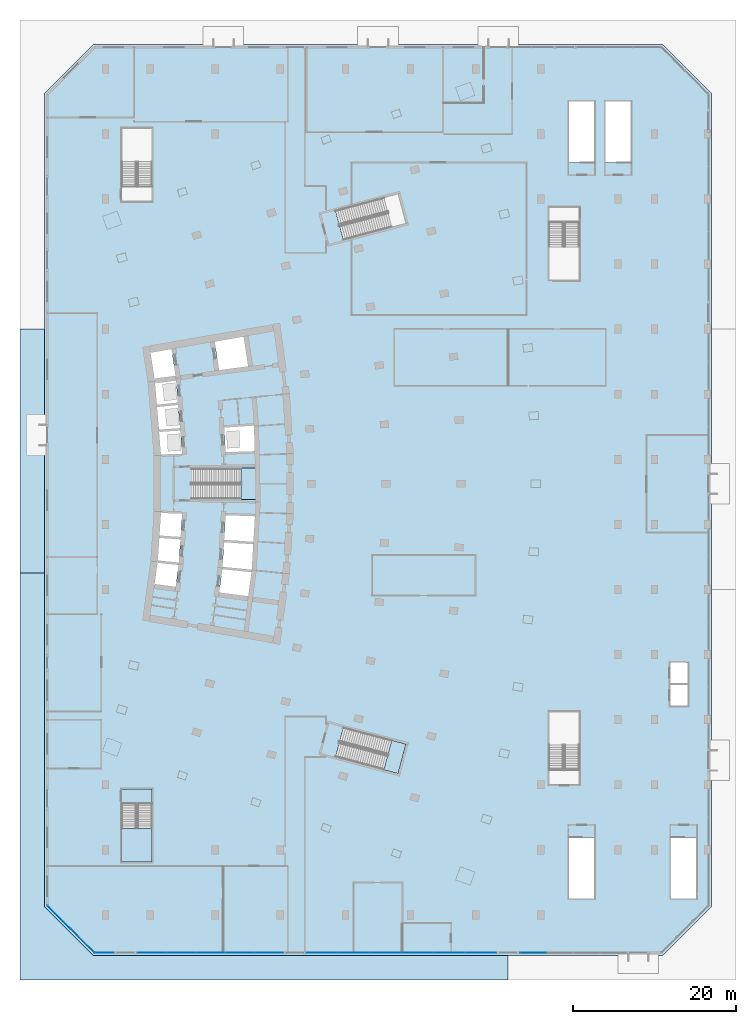
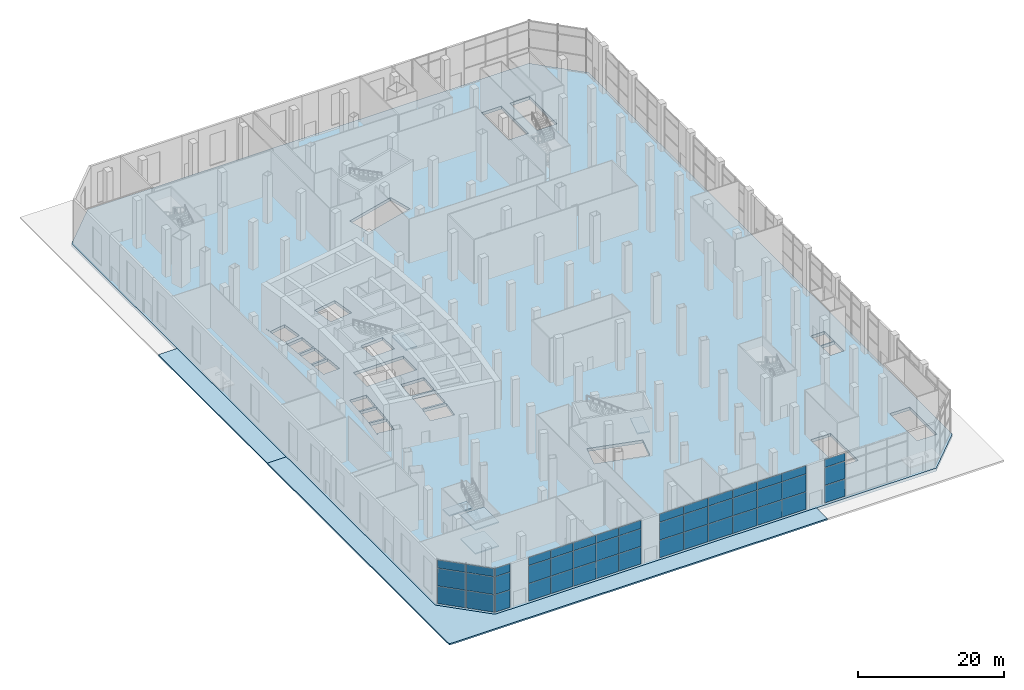
# One storey, part 9 of 33: 45 plates, 8 slabs, 8 elements without a shape of their own.
"""IFC4 building model written with IfcOpenShell, lengths in metres."""

from ifc_helpers import new_model, si_unit, direction, frame, origin, origin_2d, place, context, subcontext, project, spatial, polyline, rectangle, outline, extrude, material, layer, layer_set, type_object, element, aggregate, save


model = new_model("IFC4")

# Units and contexts
model_context = context("Model", 3, precision=1e-05, world=origin(), true_north=direction((0.0, 1.0)))
body_context = subcontext(model_context, "Body", "Model", "MODEL_VIEW")
ifc_project = project(units=[si_unit("LENGTHUNIT", "METRE"), si_unit("AREAUNIT", "SQUARE_METRE"), si_unit("VOLUMEUNIT", "CUBIC_METRE"), si_unit("PLANEANGLEUNIT", "RADIAN"), si_unit("MASSUNIT", "GRAM", prefix="KILO")], contexts=[model_context])

# Site, building, storey
site_placement = place(None, origin())
site = spatial("IfcSite", under=ifc_project, at=site_placement, CompositionType="ELEMENT")
building_placement = place(site_placement, origin())
building = spatial("IfcBuilding", under=site, at=building_placement, Name="Alderwake Tower", CompositionType="ELEMENT")
storey_placement = place(building_placement, origin())
storey = spatial("IfcBuildingStorey", under=building, at=storey_placement, Name="L00", CompositionType="ELEMENT", Elevation=0.0)

# Slab
ifc_material_1 = material(Name="Concrete C50/60", Category="concrete")
ifc_layer_1 = layer(ifc_material_1, 0.5)
ifc_layer_set_1 = layer_set([ifc_layer_1], Name="Concrete C50/60 post-tensioned flat plate 500")
slab_type_1 = type_object("IfcSlabType", Name="Concrete C50/60 post-tensioned flat plate 500", PredefinedType="FLOOR", material=ifc_layer_set_1)
slab_1_placement = place(storey_placement, frame((0.0, 0.0, -0.5)))
element("IfcSlab", 1, at=slab_1_placement, inside=storey, type_object=slab_type_1, Name="Floor slab L00", PredefinedType="FLOOR", context=body_context, shape_type="SweptSolid", body=[
    extrude(outline(polyline([(3.0, 9.0), (3.0, 109.0), (9.0, 115.0), (79.0, 115.0), (85.0, 109.0), (85.0, 9.0), (79.0, 3.0), (9.0, 3.0), (3.0, 9.0)]), holes=[polyline([(28.4482421875, 50.1328125), (24.87451171875, 50.48583984375), (24.878662109375, 50.52783203125), (24.875, 50.5283203125), (24.48974609375, 47.635986328125), (28.05419921875, 47.169921875), (28.4482421875, 50.1328125)]), polyline([(19.495361328125, 51.017333984375), (16.943359375, 51.26953125), (16.9580078125, 51.4189453125), (16.972900390625, 51.568115234375), (19.525146484375, 51.31591796875), (19.71630859375, 54.164794921875), (17.153564453125, 54.33642578125), (17.16357421875, 54.486083984375), (17.173583984375, 54.6357421875), (19.736083984375, 54.464111328125), (19.92724609375, 57.312744140625), (17.364013671875, 57.403564453125), (17.369140625, 57.553466796875), (17.33935546875, 57.554443359375), (17.1337890625, 54.48828125), (16.927978515625, 51.421875), (16.92822265625, 51.421875), (16.50927734375, 48.377197265625), (16.5390625, 48.373291015625), (16.577880859375, 48.6708984375), (19.138671875, 48.3359375), (19.495361328125, 51.017333984375)]), polyline([(28.669921875, 53.564453125), (25.080810546875, 53.804931640625), (24.89501953125, 50.731201171875), (24.898681640625, 50.730712890625), (24.904052734375, 50.784423828125), (28.484375, 50.4306640625), (28.669921875, 53.564453125)]), polyline([(29.0, 59.125), (29.0, 62.875), (21.050048828125, 62.875), (21.050048828125, 59.125), (29.0, 59.125)]), polyline([(19.9248046875, 64.687255859375), (19.688720703125, 67.53271484375), (17.12548828125, 67.361083984375), (17.115478515625, 67.510498046875), (17.10546875, 67.660400390625), (19.6640625, 67.831787109375), (19.42822265625, 70.674560546875), (16.87646484375, 70.42236328125), (16.86181640625, 70.571533203125), (16.846923828125, 70.720947265625), (19.403564453125, 70.973388671875), (19.179931640625, 73.66943359375), (16.646484375, 73.338134765625), (16.607666015625, 73.635498046875), (16.56884765625, 73.93310546875), (19.111083984375, 74.265625), (18.6240234375, 77.531982421875), (18.919921875, 77.575927734375), (18.916748046875, 77.593994140625), (16.082275390625, 77.10546875), (15.9345703125, 77.9619140625), (15.634765625, 77.908935546875), (15.63525390625, 77.9052734375), (15.9140625, 77.9482421875), (16.57763671875, 73.631591796875), (16.578369140625, 73.626220703125), (16.831787109375, 70.568603515625), (17.085693359375, 67.508544921875), (17.33935546875, 64.4482421875), (17.33935546875, 64.445556640625), (17.369384765625, 64.446533203125), (17.364013671875, 64.596435546875), (19.9248046875, 64.687255859375)]), polyline([(28.0400390625, 75.433349609375), (27.490966796875, 79.072021484375), (23.932373046875, 78.45849609375), (23.93310546875, 78.454833984375), (23.9443359375, 78.45654296875), (24.4697265625, 74.972412109375), (24.36474609375, 74.95654296875), (24.365478515625, 74.952880859375), (28.0400390625, 75.433349609375)]), polyline([(67.449951171875, 10.0), (70.60009765625, 10.0), (70.60009765625, 17.489990234375), (67.449951171875, 17.489990234375), (67.449951171875, 10.0)]), polyline([(80.0, 10.0), (83.14990234375, 10.0), (83.14990234375, 17.489990234375), (80.0, 17.489990234375), (80.0, 10.0)]), polyline([(38.7890625, 27.41943359375), (46.47119140625, 25.373291015625), (47.436279296875, 28.996826171875), (39.754150390625, 31.043212890625), (38.7890625, 27.41943359375)]), polyline([(79.89990234375, 33.699951171875), (82.10009765625, 33.699951171875), (82.10009765625, 36.300048828125), (79.89990234375, 36.300048828125), (79.89990234375, 33.699951171875)]), polyline([(82.10009765625, 36.449951171875), (82.10009765625, 39.050048828125), (79.89990234375, 39.050048828125), (79.89990234375, 36.449951171875), (82.10009765625, 36.449951171875)]), polyline([(25.09912109375, 54.1044921875), (28.687744140625, 53.864013671875), (28.873291015625, 56.99609375), (25.281494140625, 57.123291015625), (25.09912109375, 54.1044921875)]), polyline([(25.2822265625, 64.876708984375), (28.83740234375, 65.002685546875), (28.769287109375, 68.0869140625), (28.764892578125, 68.141357421875), (25.101318359375, 67.895751953125), (25.2822265625, 64.876708984375)]), polyline([(47.436279296875, 93.003173828125), (46.47119140625, 96.626708984375), (38.7890625, 94.58056640625), (39.754150390625, 90.956787109375), (47.436279296875, 93.003173828125)]), polyline([(70.60009765625, 100.510009765625), (70.60009765625, 108.0), (67.449951171875, 108.0), (67.449951171875, 100.510009765625), (70.60009765625, 100.510009765625)]), polyline([(75.10009765625, 100.510009765625), (75.10009765625, 108.0), (71.949951171875, 108.0), (71.949951171875, 100.510009765625), (75.10009765625, 100.510009765625)])]), origin(), (0.0, 0.0, 1.0), 0.5),
])

# Stair, slab
ifc_material_2 = material(Name="Concrete C40/50", Category="concrete")
stair_type_1 = type_object("IfcStairType", Name="Core exit stair", PredefinedType="HALF_TURN_STAIR", material=ifc_material_2)
stair_1_placement = place(storey_placement, origin())
stair_1 = element("IfcStair", 2, at=stair_1_placement, inside=storey, type_object=stair_type_1, Name="L00 Exit Stair B", PredefinedType="HALF_TURN_STAIR")
ifc_material_3 = material(Name="Concrete C40/50", Category="concrete")
ifc_layer_2 = layer(ifc_material_3, 0.199951171875)
ifc_layer_set_2 = layer_set([ifc_layer_2], Name="Core stair landing 200")
slab_type_2 = type_object("IfcSlabType", Name="Core stair landing 200", PredefinedType="LANDING", material=ifc_layer_set_2)
slab_2_placement = place(storey_placement, frame((0.0, 0.0, 3.800048828125)))
slab_2 = element("IfcSlab", 3, at=slab_2_placement, type_object=slab_type_2, Name="ST-B landing 1", PredefinedType="LANDING", context=body_context, shape_type="SweptSolid", body=[
    extrude(outline(polyline([(27.18994140625, 59.074951171875), (29.0, 59.074951171875), (29.0, 62.925048828125), (27.18994140625, 62.925048828125), (27.18994140625, 59.074951171875)])), origin(), (0.0, 0.0, 1.0), 0.199951171875),
])
aggregate(stair_1, [slab_2])

stair_2_placement = place(storey_placement, origin())
stair_2 = element("IfcStair", 4, at=stair_2_placement, inside=storey, type_object=stair_type_1, Name="L00 Exit Stair C", PredefinedType="HALF_TURN_STAIR")
slab_3_placement = place(storey_placement, frame((0.0, 0.0, 3.800048828125)))
slab_3 = element("IfcSlab", 5, at=slab_3_placement, type_object=slab_type_2, Name="ST-C landing 1", PredefinedType="LANDING", context=body_context, shape_type="SweptSolid", body=[
    extrude(outline(polyline([(44.72216796875, 25.839111328125), (46.47119140625, 25.373291015625), (47.436279296875, 28.996826171875), (45.687255859375, 29.462890625), (44.72216796875, 25.839111328125)])), origin(), (0.0, 0.0, 1.0), 0.199951171875),
])
aggregate(stair_2, [slab_3])

# Stair, slabs
ifc_material_4 = material(Name="Concrete C40/50", Category="concrete")
stair_type_2 = type_object("IfcStairType", Name="Exit stair 1800 half-turn", PredefinedType="HALF_TURN_STAIR", material=ifc_material_4)
stair_3_placement = place(storey_placement, origin())
stair_3 = element("IfcStair", 6, at=stair_3_placement, inside=storey, type_object=stair_type_2, Name="L00 Podium stair P1", PredefinedType="HALF_TURN_STAIR")
slab_4_placement = place(storey_placement, frame((0.0, 0.0, 1.800048828125)))
slab_4 = element("IfcSlab", 7, at=slab_4_placement, type_object=slab_type_2, Name="ST-P1 landing 1", PredefinedType="LANDING", context=body_context, shape_type="SweptSolid", body=[
    extrude(outline(polyline([(12.5, 18.6298828125), (12.5, 14.5), (16.25, 14.5), (16.25, 18.6298828125), (12.5, 18.6298828125)])), origin(), (0.0, 0.0, 1.0), 0.199951171875),
])
slab_5_placement = place(storey_placement, frame((0.0, 0.0, 3.800048828125)))
slab_5 = element("IfcSlab", 8, at=slab_5_placement, type_object=slab_type_2, Name="ST-P1 landing 2", PredefinedType="LANDING", context=body_context, shape_type="SweptSolid", body=[
    extrude(outline(polyline([(12.5, 23.5), (12.5, 21.68994140625), (16.25, 21.68994140625), (16.25, 23.5), (12.5, 23.5)])), origin(), (0.0, 0.0, 1.0), 0.199951171875),
])
slab_6_placement = place(storey_placement, frame((0.0, 0.0, 5.800048828125)))
slab_6 = element("IfcSlab", 9, at=slab_6_placement, type_object=slab_type_2, Name="ST-P1 landing 3", PredefinedType="LANDING", context=body_context, shape_type="SweptSolid", body=[
    extrude(outline(polyline([(12.5, 18.6298828125), (12.5, 14.5), (16.25, 14.5), (16.25, 18.6298828125), (12.5, 18.6298828125)])), origin(), (0.0, 0.0, 1.0), 0.199951171875),
])
aggregate(stair_3, [slab_4, slab_5, slab_6])

# Slab
ifc_material_5 = material(Name="Concrete C50/60", Category="concrete")
ifc_layer_3 = layer(ifc_material_5, 0.199951171875)
ifc_layer_set_3 = layer_set([ifc_layer_3], Name="Footway paving slab 200")
slab_type_3 = type_object("IfcSlabType", Name="Footway paving slab 200", PredefinedType="USERDEFINED", material=ifc_layer_set_3)
slab_7_placement = place(storey_placement, frame((0.0, 0.0, -0.199951171875)))
element("IfcSlab", 10, at=slab_7_placement, inside=storey, type_object=slab_type_3, Name="West street footway paving", ObjectType="PAVING", PredefinedType="USERDEFINED", context=body_context, shape_type="SweptSolid", body=[
    extrude(outline(polyline([(0.0, 80.0), (0.0, 50.0), (3.0, 50.0), (3.0, 80.0), (0.0, 80.0)])), origin(), (0.0, 0.0, 1.0), 0.199951171875),
])

# Curtain wall, plates
ifc_material_6 = material(Name="Bronze tinted glass in aluminium frame", Category="aluminium")
ifc_layer_4 = layer(ifc_material_6, 0.25)
ifc_layer_set_4 = layer_set([ifc_layer_4], Name="Curtain wall CW1 podium shopfront")
curtain_wall_type_1 = type_object("IfcCurtainWallType", Name="Curtain wall CW1 podium shopfront", PredefinedType="NOTDEFINED", material=ifc_layer_set_4)
curtain_wall_1_placement = place(storey_placement, origin())
curtain_wall_1 = element("IfcCurtainWall", 11, at=curtain_wall_1_placement, inside=storey, type_object=curtain_wall_type_1, Name="Curtain wall 1", PredefinedType="NOTDEFINED")
ifc_material_7 = material(Name="Bronze tinted glass in aluminium frame", Category="aluminium")
ifc_layer_5 = layer(ifc_material_7, 0.028076171875)
ifc_layer_set_5 = layer_set([ifc_layer_5], Name="Glass panel GPA 28")
plate_type_1 = type_object("IfcPlateType", Name="Glass panel GPA 28", PredefinedType="CURTAIN_PANEL", material=ifc_layer_set_5)
plate_1_placement = place(storey_placement, frame((10.37255859375, 3.35009765625, 0.06005859375), z_axis=(0.0, 0.0, 1.0), x_axis=(1.0, 0.0, 0.0)))
plate_1 = element("IfcPlate", 12, at=plate_1_placement, type_object=plate_type_1, Name="CW.01 panel 1.1", PredefinedType="CURTAIN_PANEL", context=body_context, shape_type="SweptSolid", body=[
    extrude(rectangle(XDim=2.3349609375, YDim=0.028076171875, at=origin_2d()), origin(), (0.0, 0.0, 1.0), 2.909912109375),
])
plate_2_placement = place(storey_placement, frame((10.37255859375, 3.35009765625, 3.030029296875), z_axis=(0.0, 0.0, 1.0), x_axis=(1.0, 0.0, 0.0)))
plate_2 = element("IfcPlate", 13, at=plate_2_placement, type_object=plate_type_1, Name="CW.01 panel 1.2", PredefinedType="CURTAIN_PANEL", context=body_context, shape_type="SweptSolid", body=[
    extrude(rectangle(XDim=2.3349609375, YDim=0.028076171875, at=origin_2d()), origin(), (0.0, 0.0, 1.0), 2.93994140625),
])
plate_3_placement = place(storey_placement, frame((10.37255859375, 3.35009765625, 6.02978515625), z_axis=(0.0, 0.0, 1.0), x_axis=(1.0, 0.0, 0.0)))
plate_3 = element("IfcPlate", 14, at=plate_3_placement, type_object=plate_type_1, Name="CW.01 panel 1.3", PredefinedType="CURTAIN_PANEL", context=body_context, shape_type="SweptSolid", body=[
    extrude(rectangle(XDim=2.3349609375, YDim=0.028076171875, at=origin_2d()), origin(), (0.0, 0.0, 1.0), 1.360107421875),
])
aggregate(curtain_wall_1, [plate_1, plate_2, plate_3])

curtain_wall_2_placement = place(storey_placement, origin())
curtain_wall_2 = element("IfcCurtainWall", 15, at=curtain_wall_2_placement, inside=storey, type_object=curtain_wall_type_1, Name="Curtain wall 2", PredefinedType="NOTDEFINED")
plate_4_placement = place(storey_placement, frame((16.215087890625, 3.35009765625, 0.06005859375), z_axis=(0.0, 0.0, 1.0), x_axis=(1.0, 0.0, 0.0)))
plate_4 = element("IfcPlate", 16, at=plate_4_placement, type_object=plate_type_1, Name="CW.02 panel 1.1", PredefinedType="CURTAIN_PANEL", context=body_context, shape_type="SweptSolid", body=[
    extrude(rectangle(XDim=3.510009765625, YDim=0.028076171875, at=origin_2d()), origin(), (0.0, 0.0, 1.0), 2.909912109375),
])
plate_5_placement = place(storey_placement, frame((16.215087890625, 3.35009765625, 3.030029296875), z_axis=(0.0, 0.0, 1.0), x_axis=(1.0, 0.0, 0.0)))
plate_5 = element("IfcPlate", 17, at=plate_5_placement, type_object=plate_type_1, Name="CW.02 panel 1.2", PredefinedType="CURTAIN_PANEL", context=body_context, shape_type="SweptSolid", body=[
    extrude(rectangle(XDim=3.510009765625, YDim=0.028076171875, at=origin_2d()), origin(), (0.0, 0.0, 1.0), 2.93994140625),
])
plate_6_placement = place(storey_placement, frame((16.215087890625, 3.35009765625, 6.02978515625), z_axis=(0.0, 0.0, 1.0), x_axis=(1.0, 0.0, 0.0)))
plate_6 = element("IfcPlate", 18, at=plate_6_placement, type_object=plate_type_1, Name="CW.02 panel 1.3", PredefinedType="CURTAIN_PANEL", context=body_context, shape_type="SweptSolid", body=[
    extrude(rectangle(XDim=3.510009765625, YDim=0.028076171875, at=origin_2d()), origin(), (0.0, 0.0, 1.0), 1.360107421875),
])
plate_7_placement = place(storey_placement, frame((19.800048828125, 3.35009765625, 0.06005859375), z_axis=(0.0, 0.0, 1.0), x_axis=(1.0, 0.0, 0.0)))
plate_7 = element("IfcPlate", 19, at=plate_7_placement, type_object=plate_type_1, Name="CW.02 panel 2.1", PredefinedType="CURTAIN_PANEL", context=body_context, shape_type="SweptSolid", body=[
    extrude(rectangle(XDim=3.5400390625, YDim=0.028076171875, at=origin_2d()), origin(), (0.0, 0.0, 1.0), 2.909912109375),
])
plate_8_placement = place(storey_placement, frame((19.800048828125, 3.35009765625, 3.030029296875), z_axis=(0.0, 0.0, 1.0), x_axis=(1.0, 0.0, 0.0)))
plate_8 = element("IfcPlate", 20, at=plate_8_placement, type_object=plate_type_1, Name="CW.02 panel 2.2", PredefinedType="CURTAIN_PANEL", context=body_context, shape_type="SweptSolid", body=[
    extrude(rectangle(XDim=3.5400390625, YDim=0.028076171875, at=origin_2d()), origin(), (0.0, 0.0, 1.0), 2.93994140625),
])
plate_9_placement = place(storey_placement, frame((19.800048828125, 3.35009765625, 6.02978515625), z_axis=(0.0, 0.0, 1.0), x_axis=(1.0, 0.0, 0.0)))
plate_9 = element("IfcPlate", 21, at=plate_9_placement, type_object=plate_type_1, Name="CW.02 panel 2.3", PredefinedType="CURTAIN_PANEL", context=body_context, shape_type="SweptSolid", body=[
    extrude(rectangle(XDim=3.5400390625, YDim=0.028076171875, at=origin_2d()), origin(), (0.0, 0.0, 1.0), 1.360107421875),
])
plate_10_placement = place(storey_placement, frame((23.39990234375, 3.35009765625, 0.06005859375), z_axis=(0.0, 0.0, 1.0), x_axis=(1.0, 0.0, 0.0)))
plate_10 = element("IfcPlate", 22, at=plate_10_placement, type_object=plate_type_1, Name="CW.02 panel 3.1", PredefinedType="CURTAIN_PANEL", context=body_context, shape_type="SweptSolid", body=[
    extrude(rectangle(XDim=3.5400390625, YDim=0.028076171875, at=origin_2d()), origin(), (0.0, 0.0, 1.0), 2.909912109375),
])
plate_11_placement = place(storey_placement, frame((23.39990234375, 3.35009765625, 3.030029296875), z_axis=(0.0, 0.0, 1.0), x_axis=(1.0, 0.0, 0.0)))
plate_11 = element("IfcPlate", 23, at=plate_11_placement, type_object=plate_type_1, Name="CW.02 panel 3.2", PredefinedType="CURTAIN_PANEL", context=body_context, shape_type="SweptSolid", body=[
    extrude(rectangle(XDim=3.5400390625, YDim=0.028076171875, at=origin_2d()), origin(), (0.0, 0.0, 1.0), 2.93994140625),
])
plate_12_placement = place(storey_placement, frame((23.39990234375, 3.35009765625, 6.02978515625), z_axis=(0.0, 0.0, 1.0), x_axis=(1.0, 0.0, 0.0)))
plate_12 = element("IfcPlate", 24, at=plate_12_placement, type_object=plate_type_1, Name="CW.02 panel 3.3", PredefinedType="CURTAIN_PANEL", context=body_context, shape_type="SweptSolid", body=[
    extrude(rectangle(XDim=3.5400390625, YDim=0.028076171875, at=origin_2d()), origin(), (0.0, 0.0, 1.0), 1.360107421875),
])
plate_13_placement = place(storey_placement, frame((27.0, 3.35009765625, 0.06005859375), z_axis=(0.0, 0.0, 1.0), x_axis=(1.0, 0.0, 0.0)))
plate_13 = element("IfcPlate", 25, at=plate_13_placement, type_object=plate_type_1, Name="CW.02 panel 4.1", PredefinedType="CURTAIN_PANEL", context=body_context, shape_type="SweptSolid", body=[
    extrude(rectangle(XDim=3.5400390625, YDim=0.028076171875, at=origin_2d()), origin(), (0.0, 0.0, 1.0), 2.909912109375),
])
plate_14_placement = place(storey_placement, frame((27.0, 3.35009765625, 3.030029296875), z_axis=(0.0, 0.0, 1.0), x_axis=(1.0, 0.0, 0.0)))
plate_14 = element("IfcPlate", 26, at=plate_14_placement, type_object=plate_type_1, Name="CW.02 panel 4.2", PredefinedType="CURTAIN_PANEL", context=body_context, shape_type="SweptSolid", body=[
    extrude(rectangle(XDim=3.5400390625, YDim=0.028076171875, at=origin_2d()), origin(), (0.0, 0.0, 1.0), 2.93994140625),
])
plate_15_placement = place(storey_placement, frame((27.0, 3.35009765625, 6.02978515625), z_axis=(0.0, 0.0, 1.0), x_axis=(1.0, 0.0, 0.0)))
plate_15 = element("IfcPlate", 27, at=plate_15_placement, type_object=plate_type_1, Name="CW.02 panel 4.3", PredefinedType="CURTAIN_PANEL", context=body_context, shape_type="SweptSolid", body=[
    extrude(rectangle(XDim=3.5400390625, YDim=0.028076171875, at=origin_2d()), origin(), (0.0, 0.0, 1.0), 1.360107421875),
])
plate_16_placement = place(storey_placement, frame((30.5849609375, 3.35009765625, 0.06005859375), z_axis=(0.0, 0.0, 1.0), x_axis=(1.0, 0.0, 0.0)))
plate_16 = element("IfcPlate", 28, at=plate_16_placement, type_object=plate_type_1, Name="CW.02 panel 5.1", PredefinedType="CURTAIN_PANEL", context=body_context, shape_type="SweptSolid", body=[
    extrude(rectangle(XDim=3.510009765625, YDim=0.028076171875, at=origin_2d()), origin(), (0.0, 0.0, 1.0), 2.909912109375),
])
plate_17_placement = place(storey_placement, frame((30.5849609375, 3.35009765625, 3.030029296875), z_axis=(0.0, 0.0, 1.0), x_axis=(1.0, 0.0, 0.0)))
plate_17 = element("IfcPlate", 29, at=plate_17_placement, type_object=plate_type_1, Name="CW.02 panel 5.2", PredefinedType="CURTAIN_PANEL", context=body_context, shape_type="SweptSolid", body=[
    extrude(rectangle(XDim=3.510009765625, YDim=0.028076171875, at=origin_2d()), origin(), (0.0, 0.0, 1.0), 2.93994140625),
])
plate_18_placement = place(storey_placement, frame((30.5849609375, 3.35009765625, 6.02978515625), z_axis=(0.0, 0.0, 1.0), x_axis=(1.0, 0.0, 0.0)))
plate_18 = element("IfcPlate", 30, at=plate_18_placement, type_object=plate_type_1, Name="CW.02 panel 5.3", PredefinedType="CURTAIN_PANEL", context=body_context, shape_type="SweptSolid", body=[
    extrude(rectangle(XDim=3.510009765625, YDim=0.028076171875, at=origin_2d()), origin(), (0.0, 0.0, 1.0), 1.360107421875),
])
aggregate(curtain_wall_2, [plate_4, plate_5, plate_6, plate_7, plate_8, plate_9, plate_10, plate_11, plate_12, plate_13, plate_14, plate_15, plate_16, plate_17, plate_18])

curtain_wall_3_placement = place(storey_placement, origin())
curtain_wall_3 = element("IfcCurtainWall", 31, at=curtain_wall_3_placement, inside=storey, type_object=curtain_wall_type_1, Name="Curtain wall 3", PredefinedType="NOTDEFINED")
plate_19_placement = place(storey_placement, frame((37.1650390625, 3.35009765625, 0.06005859375), z_axis=(0.0, 0.0, 1.0), x_axis=(1.0, 0.0, 0.0)))
plate_19 = element("IfcPlate", 32, at=plate_19_placement, type_object=plate_type_1, Name="CW.03 panel 1.1", PredefinedType="CURTAIN_PANEL", context=body_context, shape_type="SweptSolid", body=[
    extrude(rectangle(XDim=3.81005859375, YDim=0.028076171875, at=origin_2d()), origin(), (0.0, 0.0, 1.0), 2.909912109375),
])
plate_20_placement = place(storey_placement, frame((37.1650390625, 3.35009765625, 3.030029296875), z_axis=(0.0, 0.0, 1.0), x_axis=(1.0, 0.0, 0.0)))
plate_20 = element("IfcPlate", 33, at=plate_20_placement, type_object=plate_type_1, Name="CW.03 panel 1.2", PredefinedType="CURTAIN_PANEL", context=body_context, shape_type="SweptSolid", body=[
    extrude(rectangle(XDim=3.81005859375, YDim=0.028076171875, at=origin_2d()), origin(), (0.0, 0.0, 1.0), 2.93994140625),
])
plate_21_placement = place(storey_placement, frame((37.1650390625, 3.35009765625, 6.02978515625), z_axis=(0.0, 0.0, 1.0), x_axis=(1.0, 0.0, 0.0)))
plate_21 = element("IfcPlate", 34, at=plate_21_placement, type_object=plate_type_1, Name="CW.03 panel 1.3", PredefinedType="CURTAIN_PANEL", context=body_context, shape_type="SweptSolid", body=[
    extrude(rectangle(XDim=3.81005859375, YDim=0.028076171875, at=origin_2d()), origin(), (0.0, 0.0, 1.0), 1.360107421875),
])
plate_22_placement = place(storey_placement, frame((41.050048828125, 3.35009765625, 0.06005859375), z_axis=(0.0, 0.0, 1.0), x_axis=(1.0, 0.0, 0.0)))
plate_22 = element("IfcPlate", 35, at=plate_22_placement, type_object=plate_type_1, Name="CW.03 panel 2.1", PredefinedType="CURTAIN_PANEL", context=body_context, shape_type="SweptSolid", body=[
    extrude(rectangle(XDim=3.840087890625, YDim=0.028076171875, at=origin_2d()), origin(), (0.0, 0.0, 1.0), 2.909912109375),
])
plate_23_placement = place(storey_placement, frame((41.050048828125, 3.35009765625, 3.030029296875), z_axis=(0.0, 0.0, 1.0), x_axis=(1.0, 0.0, 0.0)))
plate_23 = element("IfcPlate", 36, at=plate_23_placement, type_object=plate_type_1, Name="CW.03 panel 2.2", PredefinedType="CURTAIN_PANEL", context=body_context, shape_type="SweptSolid", body=[
    extrude(rectangle(XDim=3.840087890625, YDim=0.028076171875, at=origin_2d()), origin(), (0.0, 0.0, 1.0), 2.93994140625),
])
plate_24_placement = place(storey_placement, frame((41.050048828125, 3.35009765625, 6.02978515625), z_axis=(0.0, 0.0, 1.0), x_axis=(1.0, 0.0, 0.0)))
plate_24 = element("IfcPlate", 37, at=plate_24_placement, type_object=plate_type_1, Name="CW.03 panel 2.3", PredefinedType="CURTAIN_PANEL", context=body_context, shape_type="SweptSolid", body=[
    extrude(rectangle(XDim=3.840087890625, YDim=0.028076171875, at=origin_2d()), origin(), (0.0, 0.0, 1.0), 1.360107421875),
])
plate_25_placement = place(storey_placement, frame((44.949951171875, 3.35009765625, 0.06005859375), z_axis=(0.0, 0.0, 1.0), x_axis=(1.0, 0.0, 0.0)))
plate_25 = element("IfcPlate", 38, at=plate_25_placement, type_object=plate_type_1, Name="CW.03 panel 3.1", PredefinedType="CURTAIN_PANEL", context=body_context, shape_type="SweptSolid", body=[
    extrude(rectangle(XDim=3.840087890625, YDim=0.028076171875, at=origin_2d()), origin(), (0.0, 0.0, 1.0), 2.909912109375),
])
plate_26_placement = place(storey_placement, frame((44.949951171875, 3.35009765625, 3.030029296875), z_axis=(0.0, 0.0, 1.0), x_axis=(1.0, 0.0, 0.0)))
plate_26 = element("IfcPlate", 39, at=plate_26_placement, type_object=plate_type_1, Name="CW.03 panel 3.2", PredefinedType="CURTAIN_PANEL", context=body_context, shape_type="SweptSolid", body=[
    extrude(rectangle(XDim=3.840087890625, YDim=0.028076171875, at=origin_2d()), origin(), (0.0, 0.0, 1.0), 2.93994140625),
])
plate_27_placement = place(storey_placement, frame((44.949951171875, 3.35009765625, 6.02978515625), z_axis=(0.0, 0.0, 1.0), x_axis=(1.0, 0.0, 0.0)))
plate_27 = element("IfcPlate", 40, at=plate_27_placement, type_object=plate_type_1, Name="CW.03 panel 3.3", PredefinedType="CURTAIN_PANEL", context=body_context, shape_type="SweptSolid", body=[
    extrude(rectangle(XDim=3.840087890625, YDim=0.028076171875, at=origin_2d()), origin(), (0.0, 0.0, 1.0), 1.360107421875),
])
plate_28_placement = place(storey_placement, frame((48.85009765625, 3.35009765625, 0.06005859375), z_axis=(0.0, 0.0, 1.0), x_axis=(1.0, 0.0, 0.0)))
plate_28 = element("IfcPlate", 41, at=plate_28_placement, type_object=plate_type_1, Name="CW.03 panel 4.1", PredefinedType="CURTAIN_PANEL", context=body_context, shape_type="SweptSolid", body=[
    extrude(rectangle(XDim=3.840087890625, YDim=0.028076171875, at=origin_2d()), origin(), (0.0, 0.0, 1.0), 2.909912109375),
])
plate_29_placement = place(storey_placement, frame((48.85009765625, 3.35009765625, 3.030029296875), z_axis=(0.0, 0.0, 1.0), x_axis=(1.0, 0.0, 0.0)))
plate_29 = element("IfcPlate", 42, at=plate_29_placement, type_object=plate_type_1, Name="CW.03 panel 4.2", PredefinedType="CURTAIN_PANEL", context=body_context, shape_type="SweptSolid", body=[
    extrude(rectangle(XDim=3.840087890625, YDim=0.028076171875, at=origin_2d()), origin(), (0.0, 0.0, 1.0), 2.93994140625),
])
plate_30_placement = place(storey_placement, frame((48.85009765625, 3.35009765625, 6.02978515625), z_axis=(0.0, 0.0, 1.0), x_axis=(1.0, 0.0, 0.0)))
plate_30 = element("IfcPlate", 43, at=plate_30_placement, type_object=plate_type_1, Name="CW.03 panel 4.3", PredefinedType="CURTAIN_PANEL", context=body_context, shape_type="SweptSolid", body=[
    extrude(rectangle(XDim=3.840087890625, YDim=0.028076171875, at=origin_2d()), origin(), (0.0, 0.0, 1.0), 1.360107421875),
])
plate_31_placement = place(storey_placement, frame((52.75, 3.35009765625, 0.06005859375), z_axis=(0.0, 0.0, 1.0), x_axis=(1.0, 0.0, 0.0)))
plate_31 = element("IfcPlate", 44, at=plate_31_placement, type_object=plate_type_1, Name="CW.03 panel 5.1", PredefinedType="CURTAIN_PANEL", context=body_context, shape_type="SweptSolid", body=[
    extrude(rectangle(XDim=3.840087890625, YDim=0.028076171875, at=origin_2d()), origin(), (0.0, 0.0, 1.0), 2.909912109375),
])
plate_32_placement = place(storey_placement, frame((52.75, 3.35009765625, 3.030029296875), z_axis=(0.0, 0.0, 1.0), x_axis=(1.0, 0.0, 0.0)))
plate_32 = element("IfcPlate", 45, at=plate_32_placement, type_object=plate_type_1, Name="CW.03 panel 5.2", PredefinedType="CURTAIN_PANEL", context=body_context, shape_type="SweptSolid", body=[
    extrude(rectangle(XDim=3.840087890625, YDim=0.028076171875, at=origin_2d()), origin(), (0.0, 0.0, 1.0), 2.93994140625),
])
plate_33_placement = place(storey_placement, frame((52.75, 3.35009765625, 6.02978515625), z_axis=(0.0, 0.0, 1.0), x_axis=(1.0, 0.0, 0.0)))
plate_33 = element("IfcPlate", 46, at=plate_33_placement, type_object=plate_type_1, Name="CW.03 panel 5.3", PredefinedType="CURTAIN_PANEL", context=body_context, shape_type="SweptSolid", body=[
    extrude(rectangle(XDim=3.840087890625, YDim=0.028076171875, at=origin_2d()), origin(), (0.0, 0.0, 1.0), 1.360107421875),
])
plate_34_placement = place(storey_placement, frame((56.635009765625, 3.35009765625, 0.06005859375), z_axis=(0.0, 0.0, 1.0), x_axis=(1.0, 0.0, 0.0)))
plate_34 = element("IfcPlate", 47, at=plate_34_placement, type_object=plate_type_1, Name="CW.03 panel 6.1", PredefinedType="CURTAIN_PANEL", context=body_context, shape_type="SweptSolid", body=[
    extrude(rectangle(XDim=3.81005859375, YDim=0.028076171875, at=origin_2d()), origin(), (0.0, 0.0, 1.0), 2.909912109375),
])
plate_35_placement = place(storey_placement, frame((56.635009765625, 3.35009765625, 3.030029296875), z_axis=(0.0, 0.0, 1.0), x_axis=(1.0, 0.0, 0.0)))
plate_35 = element("IfcPlate", 48, at=plate_35_placement, type_object=plate_type_1, Name="CW.03 panel 6.2", PredefinedType="CURTAIN_PANEL", context=body_context, shape_type="SweptSolid", body=[
    extrude(rectangle(XDim=3.81005859375, YDim=0.028076171875, at=origin_2d()), origin(), (0.0, 0.0, 1.0), 2.93994140625),
])
plate_36_placement = place(storey_placement, frame((56.635009765625, 3.35009765625, 6.02978515625), z_axis=(0.0, 0.0, 1.0), x_axis=(1.0, 0.0, 0.0)))
plate_36 = element("IfcPlate", 49, at=plate_36_placement, type_object=plate_type_1, Name="CW.03 panel 6.3", PredefinedType="CURTAIN_PANEL", context=body_context, shape_type="SweptSolid", body=[
    extrude(rectangle(XDim=3.81005859375, YDim=0.028076171875, at=origin_2d()), origin(), (0.0, 0.0, 1.0), 1.360107421875),
])
aggregate(curtain_wall_3, [plate_19, plate_20, plate_21, plate_22, plate_23, plate_24, plate_25, plate_26, plate_27, plate_28, plate_29, plate_30, plate_31, plate_32, plate_33, plate_34, plate_35, plate_36])

curtain_wall_4_placement = place(storey_placement, origin())
curtain_wall_4 = element("IfcCurtainWall", 50, at=curtain_wall_4_placement, inside=storey, type_object=curtain_wall_type_1, Name="Curtain wall 22", PredefinedType="NOTDEFINED")
plate_37_placement = place(storey_placement, frame((4.81201171875, 7.68310546875, 0.06005859375), z_axis=(0.0, 0.0, 1.0), x_axis=(0.707106781187, -0.707106781187, 0.0)))
plate_37 = element("IfcPlate", 51, at=plate_37_placement, type_object=plate_type_1, Name="CW.22 panel 1.1", PredefinedType="CURTAIN_PANEL", context=body_context, shape_type="SweptSolid", body=[
    extrude(rectangle(XDim=4.01513671875, YDim=0.028076171875, at=origin_2d()), origin(), (0.0, 0.0, 1.0), 2.909912109375),
])
plate_38_placement = place(storey_placement, frame((4.81201171875, 7.68310546875, 3.030029296875), z_axis=(0.0, 0.0, 1.0), x_axis=(0.707106781187, -0.707106781187, 0.0)))
plate_38 = element("IfcPlate", 52, at=plate_38_placement, type_object=plate_type_1, Name="CW.22 panel 1.2", PredefinedType="CURTAIN_PANEL", context=body_context, shape_type="SweptSolid", body=[
    extrude(rectangle(XDim=4.01513671875, YDim=0.028076171875, at=origin_2d()), origin(), (0.0, 0.0, 1.0), 2.93994140625),
])
plate_39_placement = place(storey_placement, frame((4.81201171875, 7.68310546875, 6.02978515625), z_axis=(0.0, 0.0, 1.0), x_axis=(0.707106781187, -0.707106781187, 0.0)))
plate_39 = element("IfcPlate", 53, at=plate_39_placement, type_object=plate_type_1, Name="CW.22 panel 1.3", PredefinedType="CURTAIN_PANEL", context=body_context, shape_type="SweptSolid", body=[
    extrude(rectangle(XDim=4.01513671875, YDim=0.028076171875, at=origin_2d()), origin(), (0.0, 0.0, 1.0), 1.360107421875),
])
plate_40_placement = place(storey_placement, frame((7.693603515625, 4.801513671875, 0.06005859375), z_axis=(0.0, 0.0, 1.0), x_axis=(0.707106781187, -0.707106781187, 0.0)))
plate_40 = element("IfcPlate", 54, at=plate_40_placement, type_object=plate_type_1, Name="CW.22 panel 2.1", PredefinedType="CURTAIN_PANEL", context=body_context, shape_type="SweptSolid", body=[
    extrude(rectangle(XDim=4.01513671875, YDim=0.028076171875, at=origin_2d()), origin(), (0.0, 0.0, 1.0), 2.909912109375),
])
plate_41_placement = place(storey_placement, frame((7.693603515625, 4.801513671875, 3.030029296875), z_axis=(0.0, 0.0, 1.0), x_axis=(0.707106781187, -0.707106781187, 0.0)))
plate_41 = element("IfcPlate", 55, at=plate_41_placement, type_object=plate_type_1, Name="CW.22 panel 2.2", PredefinedType="CURTAIN_PANEL", context=body_context, shape_type="SweptSolid", body=[
    extrude(rectangle(XDim=4.01513671875, YDim=0.028076171875, at=origin_2d()), origin(), (0.0, 0.0, 1.0), 2.93994140625),
])
plate_42_placement = place(storey_placement, frame((7.693603515625, 4.801513671875, 6.02978515625), z_axis=(0.0, 0.0, 1.0), x_axis=(0.707106781187, -0.707106781187, 0.0)))
plate_42 = element("IfcPlate", 56, at=plate_42_placement, type_object=plate_type_1, Name="CW.22 panel 2.3", PredefinedType="CURTAIN_PANEL", context=body_context, shape_type="SweptSolid", body=[
    extrude(rectangle(XDim=4.01513671875, YDim=0.028076171875, at=origin_2d()), origin(), (0.0, 0.0, 1.0), 1.360107421875),
])
aggregate(curtain_wall_4, [plate_37, plate_38, plate_39, plate_40, plate_41, plate_42])

ifc_material_8 = material(Name="Bronze tinted glass in aluminium frame", Category="aluminium")
ifc_layer_6 = layer(ifc_material_8, 0.300048828125)
ifc_layer_set_6 = layer_set([ifc_layer_6], Name="Curtain wall CW2 station concourse wall")
curtain_wall_type_2 = type_object("IfcCurtainWallType", Name="Curtain wall CW2 station concourse wall", PredefinedType="NOTDEFINED", material=ifc_layer_set_6)
curtain_wall_5_placement = place(storey_placement, origin())
curtain_wall_5 = element("IfcCurtainWall", 57, at=curtain_wall_5_placement, inside=storey, type_object=curtain_wall_type_2, Name="Curtain wall 4", PredefinedType="NOTDEFINED")
ifc_material_9 = material(Name="Bronze tinted glass in aluminium frame", Category="aluminium")
ifc_layer_7 = layer(ifc_material_9, 0.031982421875)
ifc_layer_set_7 = layer_set([ifc_layer_7], Name="Glass panel GPB 32")
plate_type_2 = type_object("IfcPlateType", Name="Glass panel GPB 32", PredefinedType="CURTAIN_PANEL", material=ifc_layer_set_7)
plate_43_placement = place(storey_placement, frame((63.070068359375, 3.35009765625, 0.080078125), z_axis=(0.0, 0.0, 1.0), x_axis=(1.0, 0.0, 0.0)))
plate_43 = element("IfcPlate", 58, at=plate_43_placement, type_object=plate_type_2, Name="CW.04 panel 1.1", PredefinedType="CURTAIN_PANEL", context=body_context, shape_type="SweptSolid", body=[
    extrude(rectangle(XDim=3.179931640625, YDim=0.031982421875, at=origin_2d()), origin(), (0.0, 0.0, 1.0), 2.8798828125),
])
plate_44_placement = place(storey_placement, frame((63.070068359375, 3.35009765625, 3.0400390625), z_axis=(0.0, 0.0, 1.0), x_axis=(1.0, 0.0, 0.0)))
plate_44 = element("IfcPlate", 59, at=plate_44_placement, type_object=plate_type_2, Name="CW.04 panel 1.2", PredefinedType="CURTAIN_PANEL", context=body_context, shape_type="SweptSolid", body=[
    extrude(rectangle(XDim=3.179931640625, YDim=0.031982421875, at=origin_2d()), origin(), (0.0, 0.0, 1.0), 2.919921875),
])
plate_45_placement = place(storey_placement, frame((63.070068359375, 3.35009765625, 6.0400390625), z_axis=(0.0, 0.0, 1.0), x_axis=(1.0, 0.0, 0.0)))
plate_45 = element("IfcPlate", 60, at=plate_45_placement, type_object=plate_type_2, Name="CW.04 panel 1.3", PredefinedType="CURTAIN_PANEL", context=body_context, shape_type="SweptSolid", body=[
    extrude(rectangle(XDim=3.179931640625, YDim=0.031982421875, at=origin_2d()), origin(), (0.0, 0.0, 1.0), 1.330078125),
])
aggregate(curtain_wall_5, [plate_43, plate_44, plate_45])

# Slab
ifc_material_10 = material(Name="Concrete C50/60", Category="concrete")
ifc_layer_8 = layer(ifc_material_10, 0.25)
ifc_layer_set_8 = layer_set([ifc_layer_8], Name="Service yard paving slab 250")
slab_type_4 = type_object("IfcSlabType", Name="Service yard paving slab 250", PredefinedType="USERDEFINED", material=ifc_layer_set_8)
slab_8_placement = place(storey_placement, frame((0.0, 0.0, -0.25)))
element("IfcSlab", 61, at=slab_8_placement, inside=storey, type_object=slab_type_4, Name="Service yard paving", ObjectType="PAVING", PredefinedType="USERDEFINED", context=body_context, shape_type="SweptSolid", body=[
    extrude(outline(polyline([(0.0, 0.0), (60.0, 0.0), (60.0, 3.0), (9.0, 3.0), (3.0, 9.0), (3.0, 50.0), (0.0, 50.0), (0.0, 0.0)])), origin(), (0.0, 0.0, 1.0), 0.25),
])

save(model, "model.ifc")
